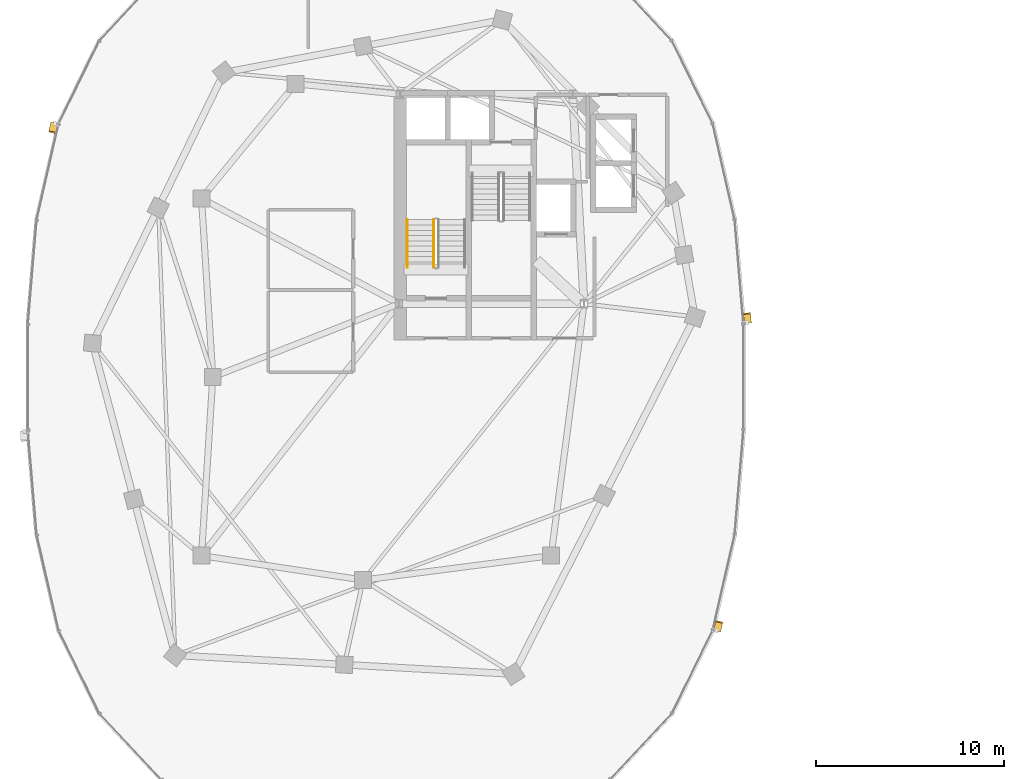
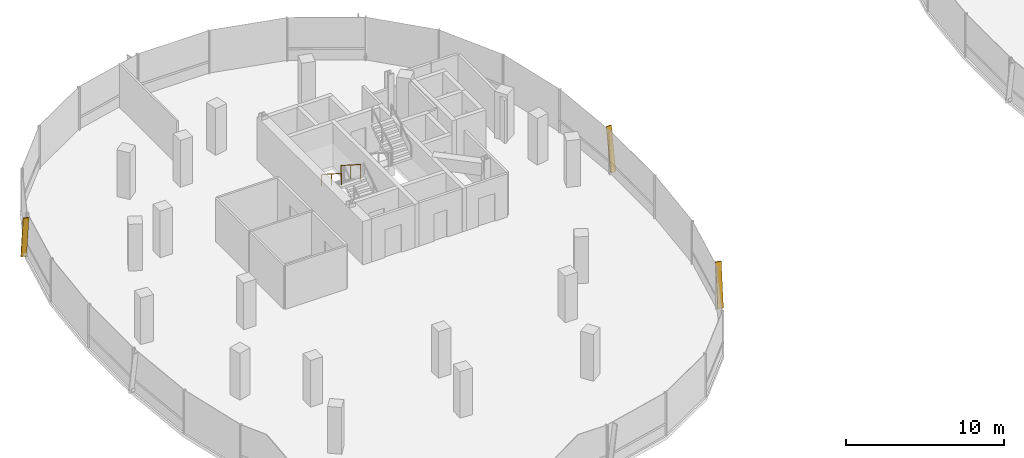
# One storey, part 21 of 24: 3 shading devices, 2 railings.
"""IFC4 building model written with IfcOpenShell, lengths in metres."""

from ifc_helpers import new_model, si_unit, direction, frame, origin, origin_2d, place, context, subcontext, project, spatial, rectangle, extrude, material, material_profile, profile_set, type_object, element, save


model = new_model("IFC4")

# Units and contexts
model_context = context("Model", 3, precision=1e-05, world=origin(), true_north=direction((0.0, 1.0)))
body_context = subcontext(model_context, "Body", "Model", "MODEL_VIEW")
ifc_project = project(units=[si_unit("LENGTHUNIT", "METRE"), si_unit("AREAUNIT", "SQUARE_METRE"), si_unit("VOLUMEUNIT", "CUBIC_METRE"), si_unit("PLANEANGLEUNIT", "RADIAN"), si_unit("MASSUNIT", "GRAM", prefix="KILO"), si_unit("THERMODYNAMICTEMPERATUREUNIT", "KELVIN"), si_unit("POWERUNIT", "WATT")], contexts=[model_context])

# Site, building, storey
site_placement = place(None, origin())
site = spatial("IfcSite", under=ifc_project, at=site_placement, CompositionType="ELEMENT")
building_placement = place(site_placement, origin())
building = spatial("IfcBuilding", under=site, at=building_placement, Name="Cundina Bronze Exchange", CompositionType="ELEMENT")
storey_placement = place(building_placement, frame((0.0, 0.0, 227.800048828125)))
storey = spatial("IfcBuildingStorey", under=building, at=storey_placement, Name="L60", CompositionType="ELEMENT", Elevation=227.800048828125)

# Railings
ifc_material_1 = material(Name="Steel ASTM A36 Painted", Category="steel")
railing_type_1 = type_object("IfcRailingType", Name="RLG-HND-900", PredefinedType="HANDRAIL", material=ifc_material_1)
railing_1_placement = place(storey_placement, frame((-30.85009765625, 8.3701171875, 1.97998046875)))
element("IfcRailing", 1, at=railing_1_placement, inside=storey, type_object=railing_type_1, Name="L60 ST-W1 stair handrail 2", PredefinedType="HANDRAIL", context=body_context, shape_type="SweptSolid", body=[
    extrude(rectangle(XDim=0.048095703125, YDim=0.048095703125, at=origin_2d()), frame((0.0, 0.0, 0.8759765625), z_axis=(0.0, -0.841199657755, 0.540724639528), x_axis=(1.0, 0.0, 0.0)), (0.0, 0.0, 1.0), 2.995849609375),
    extrude(rectangle(XDim=0.0419921875, YDim=0.0419921875, at=origin_2d()), origin(), (0.0, 0.0, 1.0), 0.851806640625),
    extrude(rectangle(XDim=0.0419921875, YDim=0.0419921875, at=origin_2d()), frame((0.0, -1.260009765625, 0.81005859375)), (0.0, 0.0, 1.0), 0.851806640625),
    extrude(rectangle(XDim=0.0419921875, YDim=0.0419921875, at=origin_2d()), frame((0.0, -2.52001953125, 1.619873046875)), (0.0, 0.0, 1.0), 0.851806640625),
])
railing_type_2 = type_object("IfcRailingType", Name="RLG-STG-1100", PredefinedType="GUARDRAIL", material=ifc_material_1)
railing_2_placement = place(storey_placement, frame((-29.449951171875, 8.3701171875, 1.97998046875)))
element("IfcRailing", 2, at=railing_2_placement, inside=storey, type_object=railing_type_2, Name="L60 ST-W1 stair guard 3", PredefinedType="GUARDRAIL", context=body_context, shape_type="SweptSolid", body=[
    extrude(rectangle(XDim=0.048095703125, YDim=0.048095703125, at=origin_2d()), frame((0.0, 0.0, 1.076171875), z_axis=(0.0, -0.841199657755, 0.540724639528), x_axis=(1.0, 0.0, 0.0)), (0.0, 0.0, 1.0), 2.995849609375),
    extrude(rectangle(XDim=0.0419921875, YDim=0.0419921875, at=origin_2d()), origin(), (0.0, 0.0, 1.0), 1.052001953125),
    extrude(rectangle(XDim=0.0419921875, YDim=0.0419921875, at=origin_2d()), frame((0.0, -1.260009765625, 0.81005859375)), (0.0, 0.0, 1.0), 1.052001953125),
    extrude(rectangle(XDim=0.0419921875, YDim=0.0419921875, at=origin_2d()), frame((0.0, -2.52001953125, 1.619873046875)), (0.0, 0.0, 1.0), 1.052001953125),
])

# Shading devices
ifc_material_2 = material(Name="Anodised Bronze Aluminium 6063-T6", Category="aluminium")
ifc_material_profile = material_profile(ifc_material_2, rectangle(XDim=0.070068359375, YDim=0.3798828125, at=origin_2d()), Name="FIN70X380", Category="aluminium")
ifc_profile_set = profile_set([ifc_material_profile], Name="Anodised Bronze Aluminium 6063-T6")
shading_device_type = type_object("IfcShadingDeviceType", Name="SHD-FIN-BRZ380", PredefinedType="USERDEFINED", material=ifc_profile_set)
for number, where, z_axis, x_axis, name in (
    (3, (-12.735595703125, 2.90283203125, 0.02001953125), (-0.012006555776, 0.143419772964, 0.98958911238), (0.082555834947, -0.986139516224, 0.143921466983), "L60 Diagonal Bronze Solar Fin 1"),
    (4, (-49.636962890625, 13.4931640625, 0.02001953125), (-0.032139238682, -0.140343782583, 0.989581068951), (0.220899412839, 0.964610875656, 0.14397676192), "L60 Diagonal Bronze Solar Fin 5"),
    (5, (-14.363037109375, -13.4931640625, 0.02001953125), (0.032139238682, 0.140343782583, 0.989581068951), (-0.220899412839, -0.964610875656, 0.14397676192), "L60 Diagonal Bronze Solar Fin 5"),
):
    element("IfcShadingDevice", number, at=place(storey_placement, frame(where, z_axis=z_axis, x_axis=x_axis)), inside=storey, type_object=shading_device_type, Name=name, ObjectType="FIN", PredefinedType="USERDEFINED", context=body_context, shape_type="SweptSolid", body=[
        extrude(rectangle(XDim=0.070068359375, YDim=0.3798828125, at=origin_2d()), origin(), (0.0, 0.0, 1.0), 3.334716796875),
    ])

save(model, "model.ifc")
